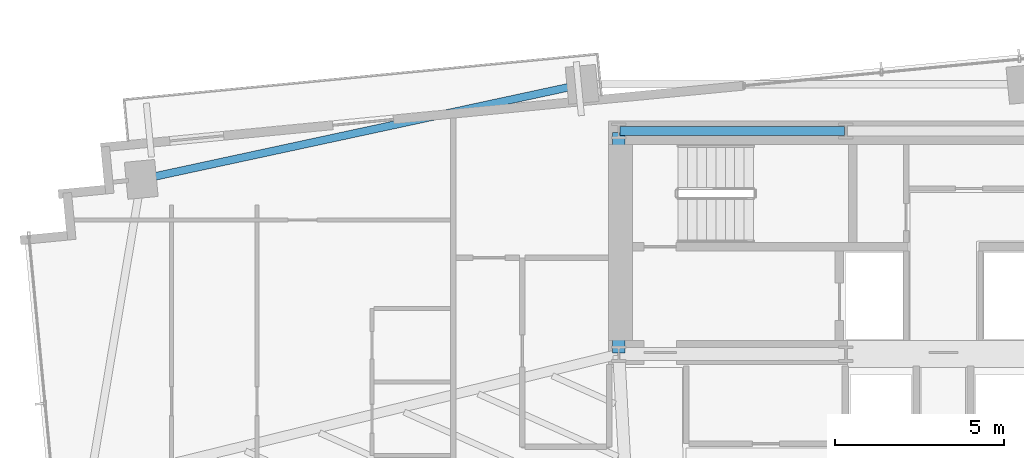
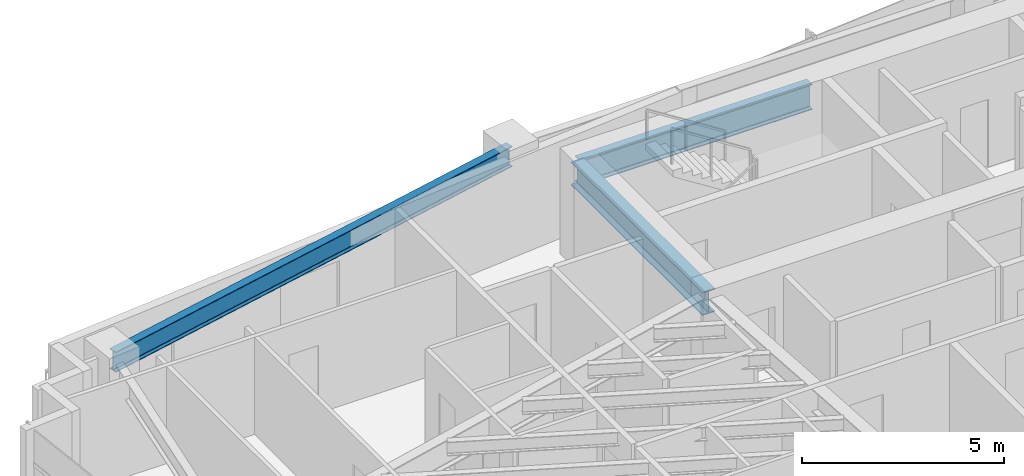
# One storey, part 9 of 25: 3 beams.
"""IFC4 building model written with IfcOpenShell, lengths in metres."""

from ifc_helpers import new_model, si_unit, direction, frame, origin, origin_2d, place, context, subcontext, project, spatial, i_section, extrude, source, transform, mapped, material, material_profile, profile_set, type_object, type_shapes, element, save


model = new_model("IFC4")

# Units and contexts
model_context = context("Model", 3, precision=1e-05, world=origin(), true_north=direction((0.0, 1.0)))
body_context = subcontext(model_context, "Body", "Model", "MODEL_VIEW")
ifc_project = project(units=[si_unit("LENGTHUNIT", "METRE"), si_unit("AREAUNIT", "SQUARE_METRE"), si_unit("VOLUMEUNIT", "CUBIC_METRE"), si_unit("PLANEANGLEUNIT", "RADIAN"), si_unit("MASSUNIT", "GRAM", prefix="KILO")], contexts=[model_context])

# Site, building, storey
site_placement = place(None, origin())
site = spatial("IfcSite", under=ifc_project, at=site_placement, CompositionType="ELEMENT")
building_placement = place(site_placement, origin())
building = spatial("IfcBuilding", under=site, at=building_placement, Name="Astriad Promenade Condominiums", CompositionType="ELEMENT")
storey_placement = place(building_placement, frame((0.0, 0.0, 103.39990234375)))
storey = spatial("IfcBuildingStorey", under=building, at=storey_placement, Name="L29", CompositionType="ELEMENT", Elevation=103.39990234375)

# Beams
ifc_material = material(Name="Steel ASTM A992 Grade 50", Category="steel")
ifc_material_profile_1 = material_profile(ifc_material, i_section(OverallWidth=0.267822265625, OverallDepth=0.76953125, WebThickness=0.015625, FlangeThickness=0.025390625, FilletRadius=0.021484375, at=origin_2d()), Name="W30X132")
ifc_profile_set_1 = profile_set([ifc_material_profile_1], Name="Steel ASTM A992 Grade 50")
beam_type_1 = type_object("IfcBeamType", Name="STEEL FLOOR GIRDER W30X132", PredefinedType="BEAM", material=ifc_profile_set_1)
shared_shape_1 = source(origin(), body_context, "Body", "SweptSolid", [
    extrude(i_section(OverallWidth=0.267822265625, OverallDepth=0.76953125, WebThickness=0.015625, FlangeThickness=0.025390625, FilletRadius=0.021484375, at=origin_2d()), origin(), (0.0, 0.0, 1.0), 6.64013671875),
])
type_shapes(beam_type_1, [shared_shape_1])
beam_1_placement = place(storey_placement, frame((26.43994140625, 24.0, 2.55517578125), z_axis=(1.0, 0.0, 0.0), x_axis=(0.0, 1.0, 0.0)))
element("IfcBeam", 1, at=beam_1_placement, inside=storey, type_object=beam_type_1, Name="Core Ring Beam CG-N1-L29", PredefinedType="BEAM", context=body_context, shape_type="MappedRepresentation", body=[
    mapped(shared_shape_1, transform((0.0, 0.0, 0.0), scale=1.0)),
])
ifc_material_profile_2 = material_profile(ifc_material, i_section(OverallWidth=0.35791015625, OverallDepth=0.706298828125, WebThickness=0.018310546875, FlangeThickness=0.0302734375, FilletRadius=0.020263671875, at=origin_2d()), Name="W27X178")
ifc_profile_set_2 = profile_set([ifc_material_profile_2], Name="Steel ASTM A992 Grade 50")
beam_type_2 = type_object("IfcBeamType", Name="STEEL FLOOR GIRDER W27X178", PredefinedType="BEAM", material=ifc_profile_set_2)
shared_shape_2 = source(origin(), body_context, "Body", "SweptSolid", [
    extrude(i_section(OverallWidth=0.35791015625, OverallDepth=0.706298828125, WebThickness=0.018310546875, FlangeThickness=0.0302734375, FilletRadius=0.020263671875, at=origin_2d()), origin(), (0.0, 0.0, 1.0), 6.52001953125),
])
type_shapes(beam_type_2, [shared_shape_2])
beam_2_placement = place(storey_placement, frame((26.39990234375, 17.43994140625, 2.5869140625), z_axis=(0.0, 1.0, 0.0), x_axis=(-1.0, 0.0, 0.0)))
element("IfcBeam", 2, at=beam_2_placement, inside=storey, type_object=beam_type_2, Name="Core Ring Beam CG-W1-L29", PredefinedType="BEAM", context=body_context, shape_type="MappedRepresentation", body=[
    mapped(shared_shape_2, transform((0.0, 0.0, 0.0), scale=1.0)),
])
ifc_material_profile_3 = material_profile(ifc_material, i_section(OverallWidth=0.22900390625, OverallDepth=0.612060546875, WebThickness=0.011962890625, FlangeThickness=0.01953125, FilletRadius=0.017822265625, at=origin_2d()), Name="W24X84")
ifc_profile_set_3 = profile_set([ifc_material_profile_3], Name="Steel ASTM A992 Grade 50")
beam_type_3 = type_object("IfcBeamType", Name="STEEL SPANDREL BEAM W24X84", PredefinedType="SPANDREL", material=ifc_profile_set_3)
shared_shape_3 = source(origin(), body_context, "Body", "SweptSolid", [
    extrude(i_section(OverallWidth=0.22900390625, OverallDepth=0.612060546875, WebThickness=0.011962890625, FlangeThickness=0.01953125, FilletRadius=0.017822265625, at=origin_2d()), origin(), (0.0, 0.0, 1.0), 13.25927734375),
])
type_shapes(beam_type_3, [shared_shape_3])
beam_3_placement = place(storey_placement, frame((25.27587890625, 25.37158203125, 2.634033203125), z_axis=(-0.977531608864, -0.210788884127, 0.0), x_axis=(0.210788884127, -0.977531608864, 0.0)))
element("IfcBeam", 3, at=beam_3_placement, inside=storey, type_object=beam_type_3, Name="Perimeter Spandrel Beam SP-N1-L29", PredefinedType="SPANDREL", context=body_context, shape_type="MappedRepresentation", body=[
    mapped(shared_shape_3, transform((0.0, 0.0, 0.0), scale=1.0)),
])

save(model, "model.ifc")
